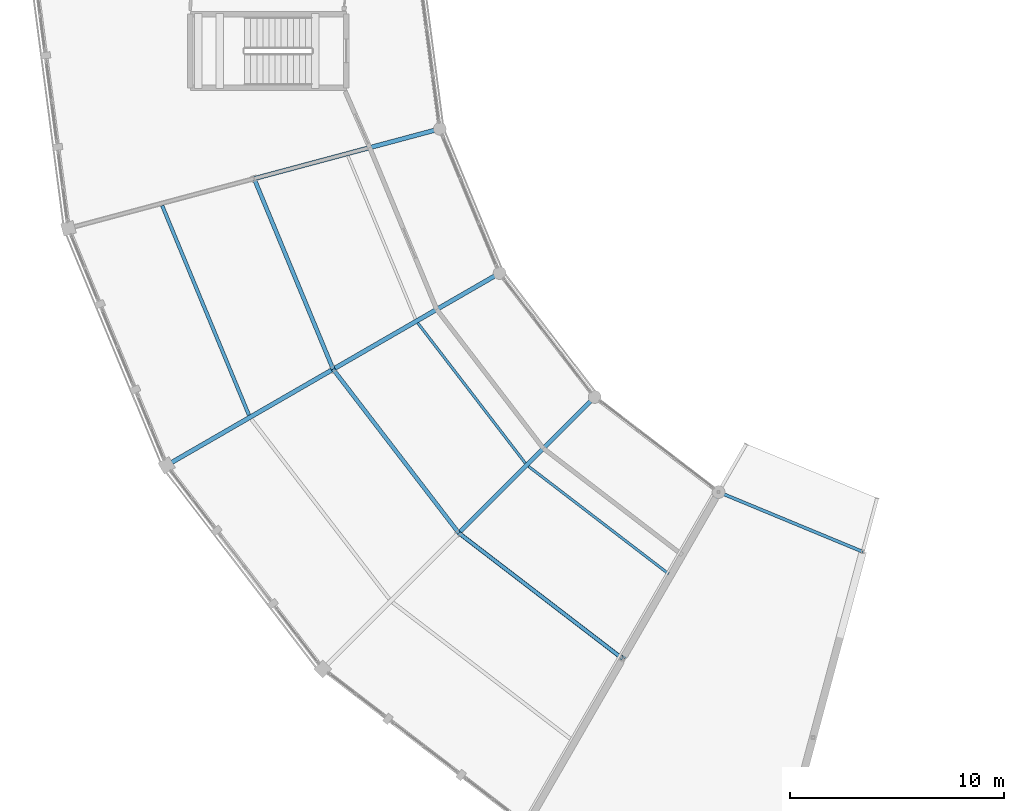
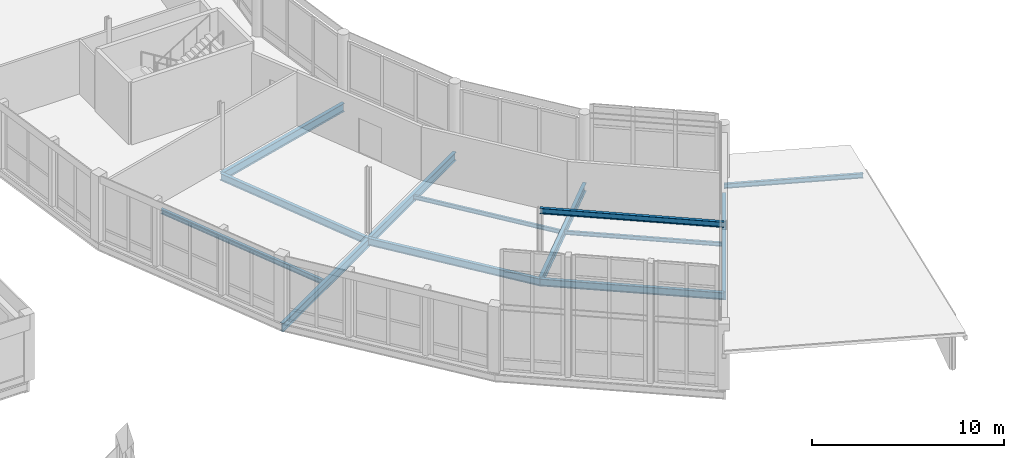
# One storey, part 49 of 185: 13 beams.
"""IFC4 building model written with IfcOpenShell, lengths in metres."""

from ifc_helpers import new_model, si_unit, direction, frame, origin, origin_2d, place, context, subcontext, project, spatial, i_section, extrude, material, material_profile, profile_set, type_object, element, save


model = new_model("IFC4")

# Units and contexts
model_context = context("Model", 3, precision=1e-05, world=origin(), true_north=direction((0.0, 1.0)))
body_context = subcontext(model_context, "Body", "Model", "MODEL_VIEW")
ifc_project = project(units=[si_unit("LENGTHUNIT", "METRE"), si_unit("AREAUNIT", "SQUARE_METRE"), si_unit("VOLUMEUNIT", "CUBIC_METRE"), si_unit("PLANEANGLEUNIT", "RADIAN"), si_unit("MASSUNIT", "GRAM", prefix="KILO")], contexts=[model_context])

# Site, building, storey
site_placement = place(None, origin())
site = spatial("IfcSite", under=ifc_project, at=site_placement, CompositionType="ELEMENT")
building_placement = place(site_placement, origin())
building = spatial("IfcBuilding", under=site, at=building_placement, Name="Vondelvale Polytechnic", CompositionType="ELEMENT")
storey_placement = place(building_placement, frame((0.0, 0.0, 9.60009765625)))
storey = spatial("IfcBuildingStorey", under=building, at=storey_placement, Name="L02", CompositionType="ELEMENT", Elevation=9.60009765625)

# Beams
ifc_material = material(Name="Steel 300PLUS (fy = 300 MPa)", Category="steel")
ifc_material_profile_1 = material_profile(ifc_material, i_section(OverallWidth=0.14892578125, OverallDepth=0.298095703125, WebThickness=0.005615234375, FlangeThickness=0.008056640625, FilletRadius=0.011474609375, at=origin_2d()), Name="310UB32.0")
ifc_profile_set_1 = profile_set([ifc_material_profile_1], Name="Steel 300PLUS (fy = 300 MPa)")
beam_type_1 = type_object("IfcBeamType", Name="BM-UB310L", PredefinedType="BEAM", material=ifc_profile_set_1)
beam_1_placement = place(storey_placement, frame((88.0, 47.751220703125, 0.16259765625), z_axis=(0.923886161226, -0.382667428841, 0.0), x_axis=(0.382667428841, 0.923886161226, 0.0)))
element("IfcBeam", 1, at=beam_1_placement, inside=storey, type_object=beam_type_1, Name="L02 RE B-25", PredefinedType="BEAM", context=body_context, shape_type="SweptSolid", body=[
    extrude(i_section(OverallWidth=0.14892578125, OverallDepth=0.298095703125, WebThickness=0.005615234375, FlangeThickness=0.008056640625, FilletRadius=0.011474609375, at=origin_2d()), origin(), (0.0, 0.0, 1.0), 7.3095703125),
])
ifc_material_profile_2 = material_profile(ifc_material, i_section(OverallWidth=0.1708984375, OverallDepth=0.35205078125, WebThickness=0.0068359375, FlangeThickness=0.009765625, FilletRadius=0.011474609375, at=origin_2d()), Name="360UB44.7")
ifc_profile_set_2 = profile_set([ifc_material_profile_2], Name="Steel 300PLUS (fy = 300 MPa)")
beam_type_2 = type_object("IfcBeamType", Name="BM-UB360L", PredefinedType="BEAM", material=ifc_profile_set_2)
beam_2_placement = place(storey_placement, frame((75.8369140625, 45.8369140625, 4.02392578125), z_axis=(0.793363832402, -0.60874775518, 0.0), x_axis=(0.60874775518, 0.793363832402, 0.0)))
element("IfcBeam", 2, at=beam_2_placement, inside=storey, type_object=beam_type_2, Name="L02 RE B-24", PredefinedType="BEAM", context=body_context, shape_type="SweptSolid", body=[
    extrude(i_section(OverallWidth=0.1708984375, OverallDepth=0.35205078125, WebThickness=0.0068359375, FlangeThickness=0.009765625, FilletRadius=0.011474609375, at=origin_2d()), origin(), (0.0, 0.0, 1.0), 9.658935546875),
])
ifc_material_profile_3 = material_profile(ifc_material, i_section(OverallWidth=0.18994140625, OverallDepth=0.4541015625, WebThickness=0.008544921875, FlangeThickness=0.0126953125, FilletRadius=0.011474609375, at=origin_2d()), Name="460UB67.1")
ifc_profile_set_3 = profile_set([ifc_material_profile_3], Name="Steel 300PLUS (fy = 300 MPa)")
beam_type_3 = type_object("IfcBeamType", Name="BM-UB460L", PredefinedType="BEAM", material=ifc_profile_set_3)
for number, where, z_axis, x_axis, name in (
    (3, (66.2607421875, 62.423583984375, -0.507080078125), (0.38268516011, -0.923878816854, 0.0), (0.923878816854, 0.38268516011, 0.0), "L02 RB B-22"),
    (4, (69.95703125, 53.5, -0.507080078125), (0.60874775518, -0.793363832402, 0.0), (0.793363832402, 0.60874775518, 0.0), "L02 RB B-22"),
    (5, (75.8369140625, 45.8369140625, -0.507080078125), (0.793363832402, -0.60874775518, 0.0), (0.60874775518, 0.793363832402, 0.0), "L02 RB B-22"),
):
    element("IfcBeam", number, at=place(storey_placement, frame(where, z_axis=z_axis, x_axis=x_axis)), inside=storey, type_object=beam_type_3, Name=name, PredefinedType="BEAM", context=body_context, shape_type="SweptSolid", body=[
        extrude(i_section(OverallWidth=0.18994140625, OverallDepth=0.4541015625, WebThickness=0.008544921875, FlangeThickness=0.0126953125, FilletRadius=0.011474609375, at=origin_2d()), origin(), (0.0, 0.0, 1.0), 9.658935546875),
    ])
ifc_material_profile_4 = material_profile(ifc_material, i_section(OverallWidth=0.208984375, OverallDepth=0.532958984375, WebThickness=0.01025390625, FlangeThickness=0.015625, FilletRadius=0.013916015625, at=origin_2d()), Name="530UB92.4")
ifc_profile_set_4 = profile_set([ifc_material_profile_4], Name="Steel 300PLUS (fy = 300 MPa)")
beam_type_4 = type_object("IfcBeamType", Name="BM-UB530", PredefinedType="BEAM", material=ifc_profile_set_4)
beam_3_placement = place(storey_placement, frame((69.95703125, 53.5, -0.546630859375), z_axis=(-0.866024315419, -0.5000018851, 0.0), x_axis=(0.5000018851, -0.866024315419, 0.0)))
element("IfcBeam", 6, at=beam_3_placement, inside=storey, type_object=beam_type_4, Name="L02 RG B-11", PredefinedType="BEAM", context=body_context, shape_type="SweptSolid", body=[
    extrude(i_section(OverallWidth=0.208984375, OverallDepth=0.532958984375, WebThickness=0.01025390625, FlangeThickness=0.015625, FilletRadius=0.013916015625, at=origin_2d()), origin(), (0.0, 0.0, 1.0), 9.0),
])
ifc_material_profile_5 = material_profile(ifc_material, i_section(OverallWidth=0.208984375, OverallDepth=0.528076171875, WebThickness=0.009521484375, FlangeThickness=0.01318359375, FilletRadius=0.013916015625, at=origin_2d()), Name="530UB82.0")
ifc_profile_set_5 = profile_set([ifc_material_profile_5], Name="Steel 300PLUS (fy = 300 MPa)")
beam_type_5 = type_object("IfcBeamType", Name="BM-UB530L", PredefinedType="BEAM", material=ifc_profile_set_5)
for number, where, z_axis, x_axis, name in (
    (7, (74.9541015625, 64.753173828125, -0.544189453125), (-0.965919958881, -0.258840941576, 0.0), (0.258840941576, -0.965919958881, 0.0), "L02 RG B-21"),
    (8, (77.751220703125, 58.0, -0.544189453125), (-0.866024315419, -0.5000018851, 0.0), (0.5000018851, -0.866024315419, 0.0), "L02 RG B-21"),
    (9, (82.200927734375, 52.200927734375, -0.544189453125), (-0.707106781187, -0.707106781187, 0.0), (0.707106781187, -0.707106781187, 0.0), "L02 RG B-21"),
    (10, (88.0, 47.751220703125, -0.544189453125), (-0.5000018851, -0.866024315419, 0.0), (0.866024315419, -0.5000018851, 0.0), "L02 RG B-21"),
):
    element("IfcBeam", number, at=place(storey_placement, frame(where, z_axis=z_axis, x_axis=x_axis)), inside=storey, type_object=beam_type_5, Name=name, PredefinedType="BEAM", context=body_context, shape_type="SweptSolid", body=[
        extrude(i_section(OverallWidth=0.208984375, OverallDepth=0.528076171875, WebThickness=0.009521484375, FlangeThickness=0.01318359375, FilletRadius=0.013916015625, at=origin_2d()), origin(), (0.0, 0.0, 1.0), 9.0),
    ])
ifc_material_profile_6 = material_profile(ifc_material, i_section(OverallWidth=0.1240234375, OverallDepth=0.248046875, WebThickness=0.0048828125, FlangeThickness=0.008056640625, FilletRadius=0.0087890625, at=origin_2d()), Name="250UB25.7")
ifc_profile_set_6 = profile_set([ifc_material_profile_6], Name="Steel 300PLUS (fy = 300 MPa)")
beam_type_6 = type_object("IfcBeamType", Name="JST-UB250L", PredefinedType="JOIST", material=ifc_profile_set_6)
for number, where, z_axis, x_axis, name in (
    (11, (73.921142578125, 55.66259765625, -0.404052734375), (0.608750899721, -0.793361419587, 0.0), (0.793361419587, 0.608750899721, 0.0), "L02 RJ J-08"),
    (12, (79.106201171875, 48.951904296875, -0.404052734375), (0.793361419587, -0.608750899721, 0.0), (0.608750899721, 0.793361419587, 0.0), "L02 RJ J-08"),
):
    element("IfcBeam", number, at=place(storey_placement, frame(where, z_axis=z_axis, x_axis=x_axis)), inside=storey, type_object=beam_type_6, Name=name, PredefinedType="JOIST", context=body_context, shape_type="SweptSolid", body=[
        extrude(i_section(OverallWidth=0.1240234375, OverallDepth=0.248046875, WebThickness=0.0048828125, FlangeThickness=0.008056640625, FilletRadius=0.0087890625, at=origin_2d()), origin(), (0.0, 0.0, 1.0), 8.26416015625),
    ])
ifc_material_profile_7 = material_profile(ifc_material, i_section(OverallWidth=0.1650390625, OverallDepth=0.303955078125, WebThickness=0.006103515625, FlangeThickness=0.01025390625, FilletRadius=0.011474609375, at=origin_2d()), Name="310UB40.4")
ifc_profile_set_7 = profile_set([ifc_material_profile_7], Name="Steel 300PLUS (fy = 300 MPa)")
beam_type_7 = type_object("IfcBeamType", Name="JST-UB310", PredefinedType="JOIST", material=ifc_profile_set_7)
beam_4_placement = place(storey_placement, frame((61.956298828125, 61.157470703125, -0.43212890625), z_axis=(0.382666002839, -0.923886751865, 0.0), x_axis=(0.923886751865, 0.382666002839, 0.0)))
element("IfcBeam", 13, at=beam_4_placement, inside=storey, type_object=beam_type_7, Name="L02 RJ J-05", PredefinedType="JOIST", context=body_context, shape_type="SweptSolid", body=[
    extrude(i_section(OverallWidth=0.1650390625, OverallDepth=0.303955078125, WebThickness=0.006103515625, FlangeThickness=0.01025390625, FilletRadius=0.011474609375, at=origin_2d()), origin(), (0.0, 0.0, 1.0), 10.61376953125),
])

save(model, "model.ifc")
